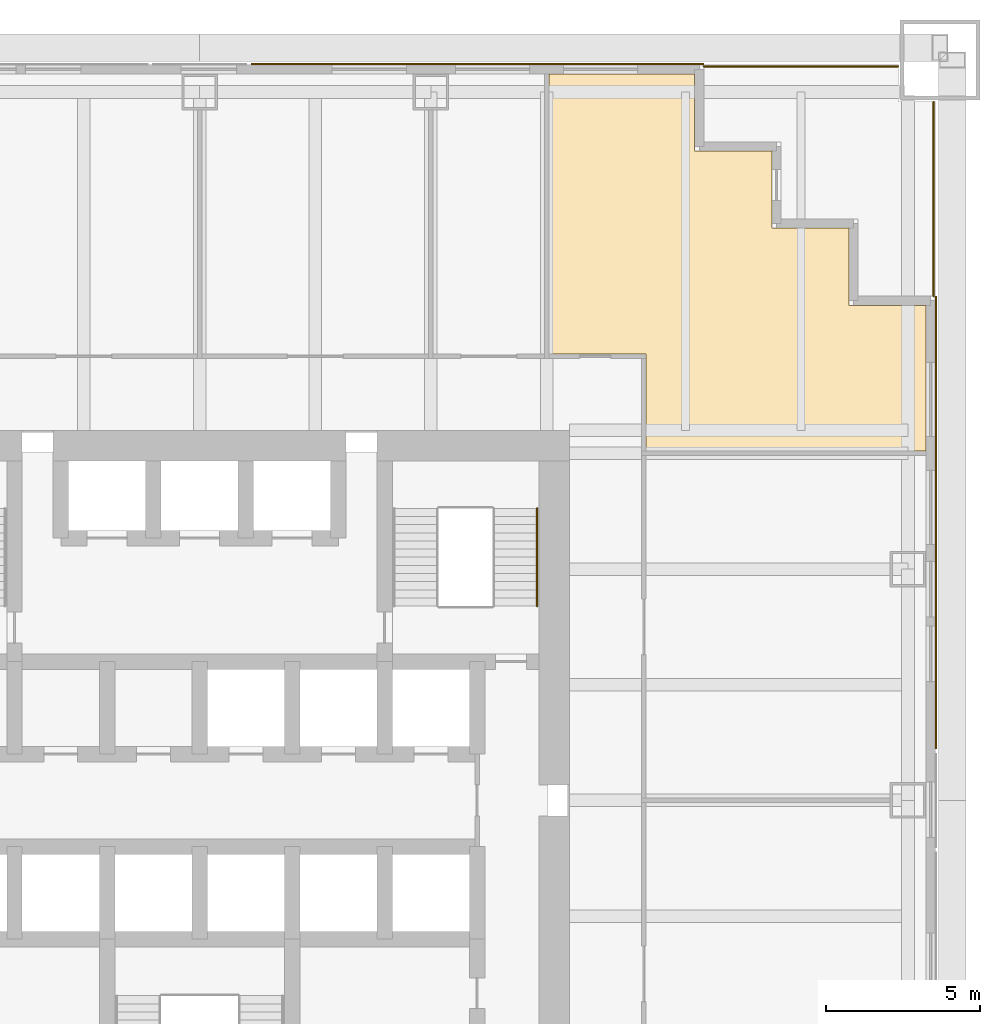
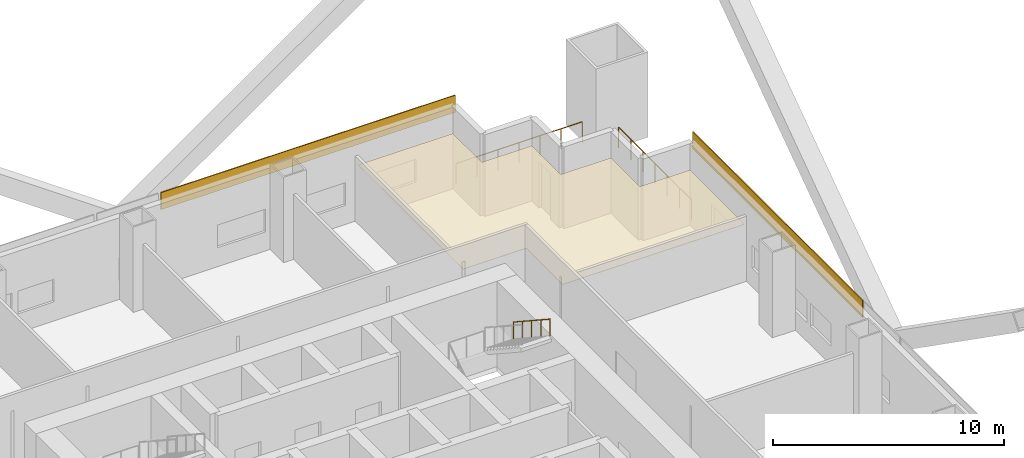
# One storey, part 7 of 7: 3 coverings, 3 railings.
"""IFC4 building model written with IfcOpenShell, lengths in metres."""

from ifc_helpers import new_model, si_unit, direction, frame, origin, origin_2d, place, context, subcontext, project, spatial, polyline, rectangle, circle, outline, extrude, material, layer, layer_set, type_object, element, save


model = new_model("IFC4")

# Units and contexts
model_context = context("Model", 3, precision=1e-05, world=origin(), true_north=direction((0.0, 1.0)))
body_context = subcontext(model_context, "Body", "Model", "MODEL_VIEW")
ifc_project = project(units=[si_unit("LENGTHUNIT", "METRE"), si_unit("AREAUNIT", "SQUARE_METRE"), si_unit("VOLUMEUNIT", "CUBIC_METRE"), si_unit("PLANEANGLEUNIT", "RADIAN"), si_unit("MASSUNIT", "GRAM", prefix="KILO")], contexts=[model_context])

# Site, building, storey
site_placement = place(None, origin())
site = spatial("IfcSite", under=ifc_project, at=site_placement, CompositionType="ELEMENT")
building_placement = place(site_placement, origin())
building = spatial("IfcBuilding", under=site, at=building_placement, Name="Tarangal Relay Tower", CompositionType="ELEMENT")
storey_placement = place(building_placement, frame((0.0, 0.0, 117.89990234375)))
storey = spatial("IfcBuildingStorey", under=building, at=storey_placement, Name="L23", CompositionType="ELEMENT", Elevation=117.89990234375)

# Coverings
ifc_material_1 = material(Name="Black anodised aluminium cladding", Category="aluminium")
ifc_layer_1 = layer(ifc_material_1, 0.050048828125)
ifc_layer_set_1 = layer_set([ifc_layer_1], Name="Black metal spandrel band")
covering_type_1 = type_object("IfcCoveringType", Name="Black metal spandrel band", PredefinedType="CLADDING", material=ifc_layer_set_1)
for number, where, z_axis, x_axis, name in (
    (1, (9.010009765625, 23.875, 3.750244140625), (0.0, 0.0, 1.0), (1.0, 0.0, 0.0), "Spandrel band SB1 N L23"),
    (2, (23.875, 9.010009765625, 3.750244140625), (0.0, 0.0, 1.0), (0.0, -1.0, 0.0), "Spandrel band SB1 E L23"),
):
    element("IfcCovering", number, at=place(storey_placement, frame(where, z_axis=z_axis, x_axis=x_axis)), inside=storey, type_object=covering_type_1, Name=name, PredefinedType="CLADDING", context=body_context, shape_type="SweptSolid", body=[
        extrude(rectangle(XDim=14.679931640625, YDim=0.050048828125, at=origin_2d()), origin(), (0.0, 0.0, 1.0), 0.89990234375),
    ])

# Railing
ifc_material_2 = material(Name="Steel handrail, black finish", Category="steel")
railing_type_1 = type_object("IfcRailingType", Name="Stair handrail 900", PredefinedType="HANDRAIL", material=ifc_material_2)
railing_1_placement = place(storey_placement, frame((10.93994140625, 9.468017578125, 2.423095703125)))
element("IfcRailing", 3, at=railing_1_placement, inside=storey, type_object=railing_type_1, Name="Stair ST-B handrail HR1 L23 flight 2", PredefinedType="HANDRAIL", context=body_context, shape_type="SweptSolid", body=[
    extrude(circle(Radius=0.02392578125, at=origin_2d()), frame((0.0, 0.0, 0.8759765625), z_axis=(0.0, -0.83629911093, 0.548273469226), x_axis=(1.0, 0.0, 0.0)), (0.0, 0.0, 1.0), 3.7880859375),
    extrude(circle(Radius=0.02099609375, at=origin_2d()), origin(), (0.0, 0.0, 1.0), 0.851806640625),
    extrude(circle(Radius=0.02099609375, at=origin_2d()), frame((0.0, -0.7919921875, 0.519287109375)), (0.0, 0.0, 1.0), 0.851806640625),
    extrude(circle(Radius=0.02099609375, at=origin_2d()), frame((0.0, -1.583984375, 1.03857421875)), (0.0, 0.0, 1.0), 0.851806640625),
    extrude(circle(Radius=0.02099609375, at=origin_2d()), frame((0.0, -2.3759765625, 1.5576171875)), (0.0, 0.0, 1.0), 0.851806640625),
    extrude(circle(Radius=0.02099609375, at=origin_2d()), frame((0.0, -3.16796875, 2.076904296875)), (0.0, 0.0, 1.0), 0.851806640625),
])

# Covering
ifc_material_3 = material(Name="Mineral fibre ceiling tiles", Category="gypsum")
ifc_layer_2 = layer(ifc_material_3, 0.02001953125)
ifc_layer_set_2 = layer_set([ifc_layer_2], Name="Suspended ceiling")
covering_type_2 = type_object("IfcCoveringType", Name="Suspended ceiling", PredefinedType="CEILING", material=ifc_layer_set_2)
covering_placement = place(storey_placement, frame((0.0, 0.0, 2.900146484375)))
element("IfcCovering", 4, at=covering_placement, inside=storey, type_object=covering_type_2, Name="Suspended ceiling CL1 L23-13", PredefinedType="CEILING", context=body_context, shape_type="SweptSolid", body=[
    extrude(outline(polyline([(16.050048828125, 23.550048828125), (11.324951171875, 23.550048828125), (11.324951171875, 14.47509765625), (14.47509765625, 14.47509765625), (14.47509765625, 11.324951171875), (23.550048828125, 11.324951171875), (23.550048828125, 16.050048828125), (21.050048828125, 16.050048828125), (21.050048828125, 18.550048828125), (18.550048828125, 18.550048828125), (18.550048828125, 21.050048828125), (16.050048828125, 21.050048828125), (16.050048828125, 23.550048828125)])), origin(), (0.0, 0.0, 1.0), 0.02001953125),
])

# Railings
ifc_material_4 = material(Name="Black steel guard with glass infill", Category="steel")
railing_type_2 = type_object("IfcRailingType", Name="Terrace guard 1100", PredefinedType="GUARDRAIL", material=ifc_material_4)
railing_2_placement = place(storey_placement, frame((16.35009765625, 23.800048828125, 0.0)))
element("IfcRailing", 5, at=railing_2_placement, inside=storey, type_object=railing_type_2, Name="Terrace guard GR2 NE L23", PredefinedType="GUARDRAIL", context=body_context, shape_type="SweptSolid", body=[
    extrude(circle(Radius=0.02392578125, at=origin_2d()), frame((0.0, 0.0, 1.076171875), z_axis=(1.0, 0.0, 0.0), x_axis=(0.0, 1.0, 0.0)), (0.0, 0.0, 1.0), 6.2998046875),
    extrude(circle(Radius=0.02099609375, at=origin_2d()), origin(), (0.0, 0.0, 1.0), 1.052001953125),
    extrude(circle(Radius=0.02099609375, at=origin_2d()), frame((1.050048828125, 0.0, 0.0)), (0.0, 0.0, 1.0), 1.052001953125),
    extrude(circle(Radius=0.02099609375, at=origin_2d()), frame((2.099853515625, 0.0, 0.0)), (0.0, 0.0, 1.0), 1.052001953125),
    extrude(circle(Radius=0.02099609375, at=origin_2d()), frame((3.14990234375, 0.0, 0.0)), (0.0, 0.0, 1.0), 1.052001953125),
    extrude(circle(Radius=0.02099609375, at=origin_2d()), frame((4.199951171875, 0.0, 0.0)), (0.0, 0.0, 1.0), 1.052001953125),
    extrude(circle(Radius=0.02099609375, at=origin_2d()), frame((5.249755859375, 0.0, 0.0)), (0.0, 0.0, 1.0), 1.052001953125),
    extrude(circle(Radius=0.02099609375, at=origin_2d()), frame((6.2998046875, 0.0, 0.0)), (0.0, 0.0, 1.0), 1.052001953125),
])
railing_3_placement = place(storey_placement, frame((23.800048828125, 22.64990234375, 0.0)))
element("IfcRailing", 6, at=railing_3_placement, inside=storey, type_object=railing_type_2, Name="Terrace guard GR2 NE L23", PredefinedType="GUARDRAIL", context=body_context, shape_type="SweptSolid", body=[
    extrude(circle(Radius=0.02392578125, at=origin_2d()), frame((0.0, 0.0, 1.076171875), z_axis=(0.0, -1.0, 0.0), x_axis=(1.0, 0.0, 0.0)), (0.0, 0.0, 1.0), 6.2998046875),
    extrude(circle(Radius=0.02099609375, at=origin_2d()), origin(), (0.0, 0.0, 1.0), 1.052001953125),
    extrude(circle(Radius=0.02099609375, at=origin_2d()), frame((0.0, -1.050048828125, 0.0)), (0.0, 0.0, 1.0), 1.052001953125),
    extrude(circle(Radius=0.02099609375, at=origin_2d()), frame((0.0, -2.099853515625, 0.0)), (0.0, 0.0, 1.0), 1.052001953125),
    extrude(circle(Radius=0.02099609375, at=origin_2d()), frame((0.0, -3.14990234375, 0.0)), (0.0, 0.0, 1.0), 1.052001953125),
    extrude(circle(Radius=0.02099609375, at=origin_2d()), frame((0.0, -4.199951171875, 0.0)), (0.0, 0.0, 1.0), 1.052001953125),
    extrude(circle(Radius=0.02099609375, at=origin_2d()), frame((0.0, -5.249755859375, 0.0)), (0.0, 0.0, 1.0), 1.052001953125),
    extrude(circle(Radius=0.02099609375, at=origin_2d()), frame((0.0, -6.2998046875, 0.0)), (0.0, 0.0, 1.0), 1.052001953125),
])

save(model, "model.ifc")
